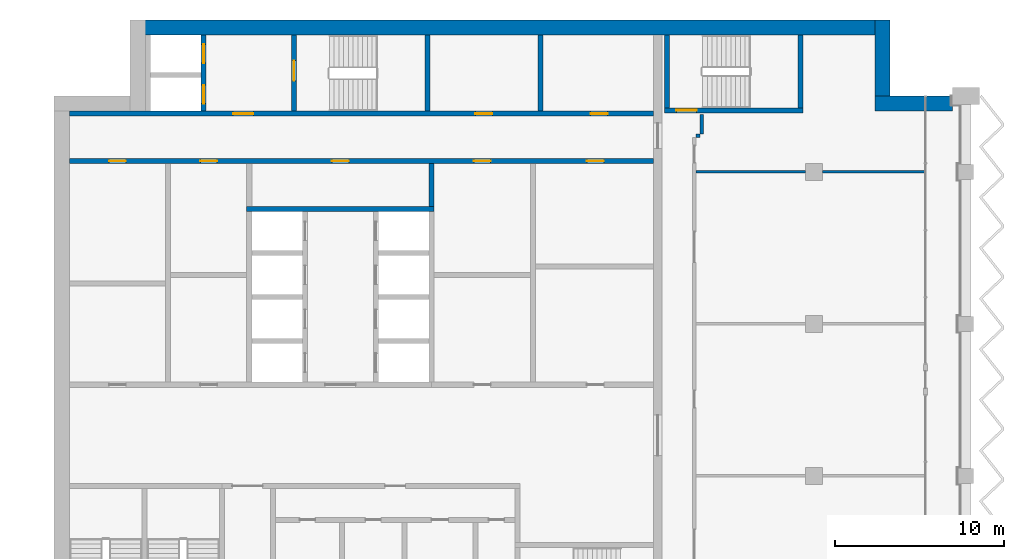
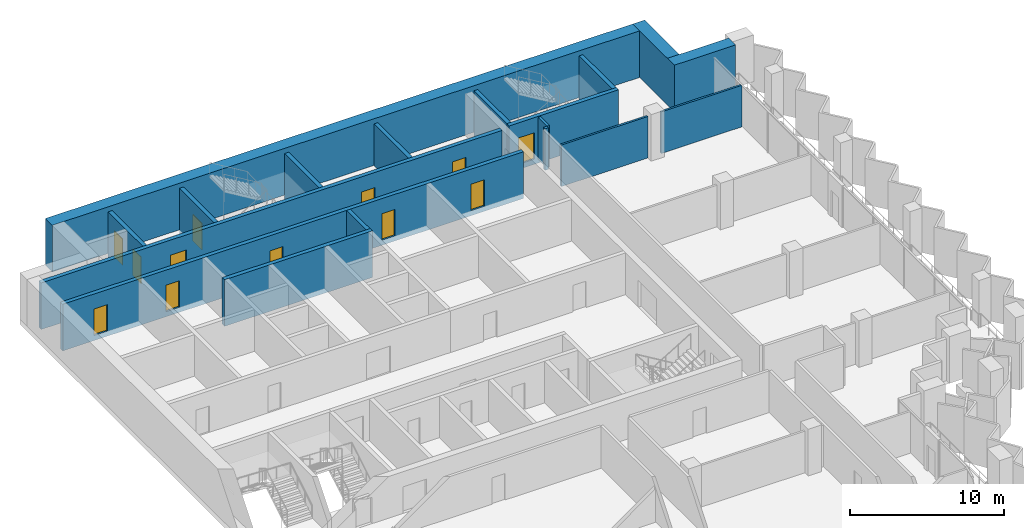
# One storey, part 10 of 16: 18 walls, 12 doors, 12 openings.
"""IFC4 building model written with IfcOpenShell, lengths in metres."""

from ifc_helpers import new_model, si_unit, direction, frame, frame_2d, origin, place, context, subcontext, project, spatial, rectangle, extrude, material, layer, layer_set, type_object, element, fill, save


model = new_model("IFC4")

# Units and contexts
model_context = context("Model", 3, precision=1e-05, world=origin(), true_north=direction((0.0, 1.0)))
body_context = subcontext(model_context, "Body", "Model", "MODEL_VIEW")
ifc_project = project(units=[si_unit("LENGTHUNIT", "METRE"), si_unit("AREAUNIT", "SQUARE_METRE"), si_unit("VOLUMEUNIT", "CUBIC_METRE"), si_unit("PLANEANGLEUNIT", "RADIAN"), si_unit("MASSUNIT", "GRAM", prefix="KILO")], contexts=[model_context])

# Site, building, storey
site_placement = place(None, origin())
site = spatial("IfcSite", under=ifc_project, at=site_placement, CompositionType="ELEMENT")
building_placement = place(site_placement, origin())
building = spatial("IfcBuilding", under=site, at=building_placement, Name="Hunhe Ridgeline Campus", CompositionType="ELEMENT")
storey_placement = place(building_placement, frame((0.0, 0.0, 239.199951171875)))
storey = spatial("IfcBuildingStorey", under=building, at=storey_placement, Name="L61", CompositionType="ELEMENT", Elevation=239.199951171875)

# Walls
ifc_material_1 = material(Name="Masonry concrete blockwork", Category="masonry")
ifc_layer_1 = layer(ifc_material_1, 0.300048828125)
ifc_layer_set_1 = layer_set([ifc_layer_1], Name="Core room partition 300 concrete block")
wall_type_1 = type_object("IfcWallType", Name="Core room partition 300 concrete block", PredefinedType="PARTITIONING", material=ifc_layer_set_1)
wall_1_placement = place(storey_placement, frame((22.35009765625, 87.949951171875, 0.0), z_axis=(0.0, 0.0, 1.0), x_axis=(0.0, 1.0, 0.0)))
element("IfcWall", 1, at=wall_1_placement, inside=storey, type_object=wall_type_1, Name="L61 core partition 44", PredefinedType="PARTITIONING", context=body_context, shape_type="SweptSolid", body=[
    extrude(rectangle(XDim=2.550048828125, YDim=0.300048828125, at=frame_2d((1.27490234375, 0.0))), origin(), (0.0, 0.0, 1.0), 3.300048828125),
])
wall_2_placement = place(storey_placement, frame((28.800048828125, 93.60009765625, 0.0), z_axis=(0.0, 0.0, 1.0), x_axis=(0.0, 1.0, 0.0)))
element("IfcWall", 2, at=wall_2_placement, inside=storey, type_object=wall_type_1, Name="L61 core partition 50", PredefinedType="PARTITIONING", context=body_context, shape_type="SweptSolid", body=[
    extrude(rectangle(XDim=4.5, YDim=0.300048828125, at=frame_2d((2.25, 0.0))), origin(), (0.0, 0.0, 1.0), 3.300048828125),
])
ifc_material_2 = material(Name="Gypsum board partition")
ifc_layer_2 = layer(ifc_material_2, 0.199951171875)
ifc_layer_set_2 = layer_set([ifc_layer_2], Name="Corridor partition 200 gypsum board on steel studs")
wall_type_2 = type_object("IfcWallType", Name="Corridor partition 200 gypsum board on steel studs", PredefinedType="PARTITIONING", material=ifc_layer_set_2)
wall_3_placement = place(storey_placement, frame((38.25, 92.14990234375, 0.0), z_axis=(0.0, 0.0, 1.0), x_axis=(-1.0, 0.0, 0.0)))
element("IfcWall", 3, at=wall_3_placement, inside=storey, type_object=wall_type_2, Name="F-L61-wall-031", PredefinedType="PARTITIONING", context=body_context, shape_type="SweptSolid", body=[
    extrude(rectangle(XDim=0.25, YDim=0.199951171875, at=frame_2d((0.125, 0.0))), origin(), (0.0, 0.0, 1.0), 3.300048828125),
])
wall_4_placement = place(storey_placement, frame((38.35009765625, 93.39599609375, 0.0), z_axis=(0.0, 0.0, 1.0), x_axis=(0.0, -1.0, 0.0)))
element("IfcWall", 4, at=wall_4_placement, inside=storey, type_object=wall_type_2, Name="F-L61-wall-039", PredefinedType="PARTITIONING", context=body_context, shape_type="SweptSolid", body=[
    extrude(rectangle(XDim=1.14599609375, YDim=0.199951171875, at=frame_2d((0.572998046875, 0.0))), origin(), (0.0, 0.0, 1.0), 3.300048828125),
])

# Wall, openings, doors
ifc_material_3 = material(Name="Concrete C50", Category="concrete")
ifc_layer_3 = layer(ifc_material_3, 0.300048828125)
ifc_layer_set_3 = layer_set([ifc_layer_3], Name="Lobby wall 300 reinforced concrete C50")
wall_type_3 = type_object("IfcWallType", Name="Lobby wall 300 reinforced concrete C50", PredefinedType="SOLIDWALL", material=ifc_layer_set_3)
wall_5_placement = place(storey_placement, frame((0.89990234375, 90.64990234375, -0.39990234375), z_axis=(0.0, 0.0, 1.0), x_axis=(1.0, 0.0, 0.0)))
wall_5 = element("IfcWall", 5, at=wall_5_placement, inside=storey, type_object=wall_type_3, Name="L61 core wall 23", PredefinedType="SOLIDWALL", context=body_context, shape_type="SweptSolid", body=[
    extrude(rectangle(XDim=34.60009765625, YDim=0.300048828125, at=frame_2d((17.300048828125, 0.0))), origin(), (0.0, 0.0, 1.0), 3.699951171875),
])
opening_1_placement = place(wall_5_placement, frame((15.550048828125, 0.0, 0.39990234375)))
opening_1 = element("IfcOpeningElement", 6, at=opening_1_placement, cuts=wall_5, Name="Opening CD26", PredefinedType="OPENING", context=body_context, shape_type="SweptSolid", body=[
    extrude(rectangle(XDim=1.0, YDim=2.10009765625, at=frame_2d((0.5, 1.050048828125))), frame((0.0, 0.14990234375, 0.0), z_axis=(0.0, -1.0, 0.0), x_axis=(1.0, 0.0, 0.0)), (0.0, 0.0, 1.0), 0.300048828125),
])
opening_2_placement = place(wall_5_placement, frame((2.35009765625, 0.0, 0.39990234375)))
opening_2 = element("IfcOpeningElement", 7, at=opening_2_placement, cuts=wall_5, Name="Opening CD40", PredefinedType="OPENING", context=body_context, shape_type="SweptSolid", body=[
    extrude(rectangle(XDim=1.0, YDim=2.10009765625, at=frame_2d((0.5, 1.050048828125))), frame((0.0, 0.14990234375, 0.0), z_axis=(0.0, -1.0, 0.0), x_axis=(1.0, 0.0, 0.0)), (0.0, 0.0, 1.0), 0.300048828125),
])
opening_3_placement = place(wall_5_placement, frame((7.75, 0.0, 0.39990234375)))
opening_3 = element("IfcOpeningElement", 8, at=opening_3_placement, cuts=wall_5, Name="Opening CD43", PredefinedType="OPENING", context=body_context, shape_type="SweptSolid", body=[
    extrude(rectangle(XDim=1.0, YDim=2.10009765625, at=frame_2d((0.5, 1.050048828125))), frame((0.0, 0.14990234375, 0.0), z_axis=(0.0, -1.0, 0.0), x_axis=(1.0, 0.0, 0.0)), (0.0, 0.0, 1.0), 0.300048828125),
])
opening_4_placement = place(wall_5_placement, frame((23.949951171875, 0.0, 0.39990234375)))
opening_4 = element("IfcOpeningElement", 9, at=opening_4_placement, cuts=wall_5, Name="Opening CD33", PredefinedType="OPENING", context=body_context, shape_type="SweptSolid", body=[
    extrude(rectangle(XDim=1.0, YDim=2.10009765625, at=frame_2d((0.5, 1.050048828125))), frame((0.0, 0.14990234375, 0.0), z_axis=(0.0, -1.0, 0.0), x_axis=(1.0, 0.0, 0.0)), (0.0, 0.0, 1.0), 0.300048828125),
])
opening_5_placement = place(wall_5_placement, frame((30.64990234375, 0.0, 0.39990234375)))
opening_5 = element("IfcOpeningElement", 10, at=opening_5_placement, cuts=wall_5, Name="Opening CD44", PredefinedType="OPENING", context=body_context, shape_type="SweptSolid", body=[
    extrude(rectangle(XDim=1.0, YDim=2.10009765625, at=frame_2d((0.5, 1.050048828125))), frame((0.0, 0.14990234375, 0.0), z_axis=(0.0, -1.0, 0.0), x_axis=(1.0, 0.0, 0.0)), (0.0, 0.0, 1.0), 0.300048828125),
])
ifc_material_4 = material(Name="Solid core timber door leaf", Category="wood")
door_type_1 = type_object("IfcDoorType", Name="Timber door 1000x2100", OperationType="SINGLE_SWING_LEFT", PredefinedType="DOOR", material=ifc_material_4)
door_1_placement = place(opening_1_placement, frame((1.0, 0.0, 0.0), z_axis=(0.0, 0.0, 1.0), x_axis=(-1.0, 0.0, 0.0)))
door_1 = element("IfcDoor", 11, at=door_1_placement, inside=storey, type_object=door_type_1, Name="L61 door NR-0", OperationType="SINGLE_SWING_RIGHT", OverallHeight=2.10009765625, OverallWidth=1.0, PredefinedType="DOOR", context=body_context, shape_type="SweptSolid", body=[
    extrude(rectangle(XDim=1.0, YDim=2.10009765625, at=frame_2d((0.5, 1.050048828125))), frame((0.0, 0.02490234375, 0.0), z_axis=(0.0, -1.0, 0.0), x_axis=(1.0, 0.0, 0.0)), (0.0, 0.0, 1.0), 0.050048828125),
])
fill(opening_1, door_1)
door_2_placement = place(opening_2_placement, frame((1.0, 0.0, 0.0), z_axis=(0.0, 0.0, 1.0), x_axis=(-1.0, 0.0, 0.0)))
door_2 = element("IfcDoor", 12, at=door_2_placement, inside=storey, type_object=door_type_1, Name="L61 door VD-LR1", OperationType="SINGLE_SWING_RIGHT", OverallHeight=2.10009765625, OverallWidth=1.0, PredefinedType="DOOR", context=body_context, shape_type="SweptSolid", body=[
    extrude(rectangle(XDim=1.0, YDim=2.10009765625, at=frame_2d((0.5, 1.050048828125))), frame((0.0, 0.02490234375, 0.0), z_axis=(0.0, -1.0, 0.0), x_axis=(1.0, 0.0, 0.0)), (0.0, 0.0, 1.0), 0.050048828125),
])
fill(opening_2, door_2)
door_3_placement = place(opening_3_placement, frame((1.0, 0.0, 0.0), z_axis=(0.0, 0.0, 1.0), x_axis=(-1.0, 0.0, 0.0)))
door_3 = element("IfcDoor", 13, at=door_3_placement, inside=storey, type_object=door_type_1, Name="L61 door VD-LR3", OperationType="SINGLE_SWING_RIGHT", OverallHeight=2.10009765625, OverallWidth=1.0, PredefinedType="DOOR", context=body_context, shape_type="SweptSolid", body=[
    extrude(rectangle(XDim=1.0, YDim=2.10009765625, at=frame_2d((0.5, 1.050048828125))), frame((0.0, 0.02490234375, 0.0), z_axis=(0.0, -1.0, 0.0), x_axis=(1.0, 0.0, 0.0)), (0.0, 0.0, 1.0), 0.050048828125),
])
fill(opening_3, door_3)
door_4_placement = place(opening_4_placement, frame((1.0, 0.0, 0.0), z_axis=(0.0, 0.0, 1.0), x_axis=(-1.0, 0.0, 0.0)))
door_4 = element("IfcDoor", 14, at=door_4_placement, inside=storey, type_object=door_type_1, Name="L61 door ES1", OperationType="SINGLE_SWING_LEFT", OverallHeight=2.10009765625, OverallWidth=1.0, PredefinedType="DOOR", context=body_context, shape_type="SweptSolid", body=[
    extrude(rectangle(XDim=1.0, YDim=2.10009765625, at=frame_2d((0.5, 1.050048828125))), frame((0.0, 0.02490234375, 0.0), z_axis=(0.0, -1.0, 0.0), x_axis=(1.0, 0.0, 0.0)), (0.0, 0.0, 1.0), 0.050048828125),
])
fill(opening_4, door_4)
door_5_placement = place(opening_5_placement, frame((1.0, 0.0, 0.0), z_axis=(0.0, 0.0, 1.0), x_axis=(-1.0, 0.0, 0.0)))
door_5 = element("IfcDoor", 15, at=door_5_placement, inside=storey, type_object=door_type_1, Name="L61 door ES3", OperationType="SINGLE_SWING_LEFT", OverallHeight=2.10009765625, OverallWidth=1.0, PredefinedType="DOOR", context=body_context, shape_type="SweptSolid", body=[
    extrude(rectangle(XDim=1.0, YDim=2.10009765625, at=frame_2d((0.5, 1.050048828125))), frame((0.0, 0.02490234375, 0.0), z_axis=(0.0, -1.0, 0.0), x_axis=(1.0, 0.0, 0.0)), (0.0, 0.0, 1.0), 0.050048828125),
])
fill(opening_5, door_5)

# Walls
ifc_layer_4 = layer(ifc_material_2, 0.14990234375)
ifc_layer_set_4 = layer_set([ifc_layer_4], Name="Room partition 150 gypsum board on steel studs")
wall_type_4 = type_object("IfcWallType", Name="Room partition 150 gypsum board on steel studs", PredefinedType="PARTITIONING", material=ifc_layer_set_4)
wall_6_placement = place(storey_placement, frame((38.0, 90.0, 0.0), z_axis=(0.0, 0.0, 1.0), x_axis=(1.0, 0.0, 0.0)))
element("IfcWall", 16, at=wall_6_placement, inside=storey, type_object=wall_type_4, Name="F-L61-wall-029", PredefinedType="PARTITIONING", context=body_context, shape_type="SweptSolid", body=[
    extrude(rectangle(XDim=6.5, YDim=0.14990234375, at=frame_2d((3.25, 0.0))), origin(), (0.0, 0.0, 1.0), 3.300048828125),
])
wall_7_placement = place(storey_placement, frame((45.5, 90.0, 0.0), z_axis=(0.0, 0.0, 1.0), x_axis=(1.0, 0.0, 0.0)))
element("IfcWall", 17, at=wall_7_placement, inside=storey, type_object=wall_type_4, Name="F-L61-wall-030", PredefinedType="PARTITIONING", context=body_context, shape_type="SweptSolid", body=[
    extrude(rectangle(XDim=6.044921875, YDim=0.14990234375, at=frame_2d((3.0224609375, 0.0))), origin(), (0.0, 0.0, 1.0), 3.300048828125),
])
ifc_layer_5 = layer(ifc_material_3, 0.300048828125)
ifc_layer_set_5 = layer_set([ifc_layer_5], Name="Shaft wall 300 reinforced concrete C50")
wall_type_5 = type_object("IfcWallType", Name="Shaft wall 300 reinforced concrete C50", PredefinedType="SOLIDWALL", material=ifc_layer_set_5)
wall_8_placement = place(storey_placement, frame((11.39990234375, 87.800048828125, -0.39990234375), z_axis=(0.0, 0.0, 1.0), x_axis=(1.0, 0.0, 0.0)))
element("IfcWall", 18, at=wall_8_placement, inside=storey, type_object=wall_type_5, Name="L61 core wall 22", PredefinedType="SOLIDWALL", context=body_context, shape_type="SweptSolid", body=[
    extrude(rectangle(XDim=11.10009765625, YDim=0.300048828125, at=frame_2d((5.550048828125, 0.0))), origin(), (0.0, 0.0, 1.0), 3.699951171875),
])

# Wall, openings, doors
wall_9_placement = place(storey_placement, frame((0.89990234375, 93.449951171875, -0.39990234375), z_axis=(0.0, 0.0, 1.0), x_axis=(1.0, 0.0, 0.0)))
wall_9 = element("IfcWall", 19, at=wall_9_placement, inside=storey, type_object=wall_type_5, Name="L61 core wall 24", PredefinedType="SOLIDWALL", context=body_context, shape_type="SweptSolid", body=[
    extrude(rectangle(XDim=34.60009765625, YDim=0.300048828125, at=frame_2d((17.300048828125, 0.0))), origin(), (0.0, 0.0, 1.0), 3.699951171875),
])
opening_6_placement = place(wall_9_placement, frame((9.699951171875, 0.0, 0.39990234375)))
opening_6 = element("IfcOpeningElement", 20, at=opening_6_placement, cuts=wall_9, Name="Opening CD3", PredefinedType="OPENING", context=body_context, shape_type="SweptSolid", body=[
    extrude(rectangle(XDim=1.199951171875, YDim=2.10009765625, at=frame_2d((0.60009765625, 1.050048828125))), frame((0.0, 0.14990234375, 0.0), z_axis=(0.0, -1.0, 0.0), x_axis=(1.0, 0.0, 0.0)), (0.0, 0.0, 1.0), 0.300048828125),
])
opening_7_placement = place(wall_9_placement, frame((24.050048828125, 0.0, 0.39990234375)))
opening_7 = element("IfcOpeningElement", 21, at=opening_7_placement, cuts=wall_9, Name="Opening CD34", PredefinedType="OPENING", context=body_context, shape_type="SweptSolid", body=[
    extrude(rectangle(XDim=1.0, YDim=2.10009765625, at=frame_2d((0.5, 1.050048828125))), frame((0.0, 0.14990234375, 0.0), z_axis=(0.0, -1.0, 0.0), x_axis=(1.0, 0.0, 0.0)), (0.0, 0.0, 1.0), 0.300048828125),
])
opening_8_placement = place(wall_9_placement, frame((30.875, 0.0, 0.39990234375)))
opening_8 = element("IfcOpeningElement", 22, at=opening_8_placement, cuts=wall_9, Name="Opening CD35", PredefinedType="OPENING", context=body_context, shape_type="SweptSolid", body=[
    extrude(rectangle(XDim=1.0, YDim=2.10009765625, at=frame_2d((0.5, 1.050048828125))), frame((0.0, 0.14990234375, 0.0), z_axis=(0.0, -1.0, 0.0), x_axis=(1.0, 0.0, 0.0)), (0.0, 0.0, 1.0), 0.300048828125),
])
ifc_material_5 = material(Name="Hollow metal fire door leaf")
door_type_2 = type_object("IfcDoorType", Name="Lobby door 1200x2100 FD60", OperationType="SINGLE_SWING_LEFT", PredefinedType="DOOR", material=ifc_material_5)
door_6_placement = place(opening_6_placement, frame((1.199951171875, 0.0, 0.0), z_axis=(0.0, 0.0, 1.0), x_axis=(-1.0, 0.0, 0.0)))
door_6 = element("IfcDoor", 23, at=door_6_placement, inside=storey, type_object=door_type_2, Name="L61 door FF-C1", OperationType="SINGLE_SWING_RIGHT", OverallHeight=2.10009765625, OverallWidth=1.199951171875, PredefinedType="DOOR", context=body_context, shape_type="SweptSolid", body=[
    extrude(rectangle(XDim=1.199951171875, YDim=2.10009765625, at=frame_2d((0.60009765625, 1.050048828125))), frame((0.0, 0.02490234375, 0.0), z_axis=(0.0, -1.0, 0.0), x_axis=(1.0, 0.0, 0.0)), (0.0, 0.0, 1.0), 0.050048828125),
])
fill(opening_6, door_6)
door_7_placement = place(opening_7_placement, origin())
door_7 = element("IfcDoor", 24, at=door_7_placement, inside=storey, type_object=door_type_1, Name="L61 door NB0", OperationType="SINGLE_SWING_LEFT", OverallHeight=2.10009765625, OverallWidth=1.0, PredefinedType="DOOR", context=body_context, shape_type="SweptSolid", body=[
    extrude(rectangle(XDim=1.0, YDim=2.10009765625, at=frame_2d((0.5, 1.050048828125))), frame((0.0, 0.02490234375, 0.0), z_axis=(0.0, -1.0, 0.0), x_axis=(1.0, 0.0, 0.0)), (0.0, 0.0, 1.0), 0.050048828125),
])
fill(opening_7, door_7)
door_8_placement = place(opening_8_placement, origin())
door_8 = element("IfcDoor", 25, at=door_8_placement, inside=storey, type_object=door_type_1, Name="L61 door NB1", OperationType="SINGLE_SWING_RIGHT", OverallHeight=2.10009765625, OverallWidth=1.0, PredefinedType="DOOR", context=body_context, shape_type="SweptSolid", body=[
    extrude(rectangle(XDim=1.0, YDim=2.10009765625, at=frame_2d((0.5, 1.050048828125))), frame((0.0, 0.02490234375, 0.0), z_axis=(0.0, -1.0, 0.0), x_axis=(1.0, 0.0, 0.0)), (0.0, 0.0, 1.0), 0.050048828125),
])
fill(opening_8, door_8)

wall_10_placement = place(storey_placement, frame((8.85009765625, 93.60009765625, -0.39990234375), z_axis=(0.0, 0.0, 1.0), x_axis=(0.0, 1.0, 0.0)))
wall_10 = element("IfcWall", 26, at=wall_10_placement, inside=storey, type_object=wall_type_5, Name="L61 core wall 31", PredefinedType="SOLIDWALL", context=body_context, shape_type="SweptSolid", body=[
    extrude(rectangle(XDim=4.5, YDim=0.300048828125, at=frame_2d((2.25, 0.0))), origin(), (0.0, 0.0, 1.0), 3.699951171875),
])
opening_9_placement = place(wall_10_placement, frame((0.449951171875, 0.0, 0.39990234375)))
opening_9 = element("IfcOpeningElement", 27, at=opening_9_placement, cuts=wall_10, Name="Opening LD-FF1", PredefinedType="OPENING", context=body_context, shape_type="SweptSolid", body=[
    extrude(rectangle(XDim=1.10009765625, YDim=2.10009765625, at=frame_2d((0.550048828125, 1.050048828125))), frame((0.0, 0.14990234375, 0.0), z_axis=(0.0, -1.0, 0.0), x_axis=(1.0, 0.0, 0.0)), (0.0, 0.0, 1.0), 0.300048828125),
])
opening_10_placement = place(wall_10_placement, frame((2.85009765625, 0.0, 0.39990234375)))
opening_10 = element("IfcOpeningElement", 28, at=opening_10_placement, cuts=wall_10, Name="Opening LD-FF2", PredefinedType="OPENING", context=body_context, shape_type="SweptSolid", body=[
    extrude(rectangle(XDim=1.10009765625, YDim=2.10009765625, at=frame_2d((0.550048828125, 1.050048828125))), frame((0.0, 0.14990234375, 0.0), z_axis=(0.0, -1.0, 0.0), x_axis=(1.0, 0.0, 0.0)), (0.0, 0.0, 1.0), 0.300048828125),
])
ifc_material_6 = material(Name="Stainless steel sliding leaves", Category="steel")
door_type_3 = type_object("IfcDoorType", Name="Landing door 1100x2100 FD120", OperationType="SLIDING_TO_LEFT", PredefinedType="DOOR", material=ifc_material_6)
door_9_placement = place(opening_9_placement, origin())
door_9 = element("IfcDoor", 29, at=door_9_placement, inside=storey, type_object=door_type_3, Name="L61 landing door FF1", OperationType="SLIDING_TO_RIGHT", OverallHeight=2.10009765625, OverallWidth=1.10009765625, PredefinedType="DOOR", context=body_context, shape_type="SweptSolid", body=[
    extrude(rectangle(XDim=1.10009765625, YDim=2.10009765625, at=frame_2d((0.550048828125, 1.050048828125))), frame((0.0, 0.02490234375, 0.0), z_axis=(0.0, -1.0, 0.0), x_axis=(1.0, 0.0, 0.0)), (0.0, 0.0, 1.0), 0.050048828125),
])
fill(opening_9, door_9)
door_10_placement = place(opening_10_placement, origin())
door_10 = element("IfcDoor", 30, at=door_10_placement, inside=storey, type_object=door_type_3, Name="L61 landing door FF2", OperationType="SLIDING_TO_LEFT", OverallHeight=2.10009765625, OverallWidth=1.10009765625, PredefinedType="DOOR", context=body_context, shape_type="SweptSolid", body=[
    extrude(rectangle(XDim=1.10009765625, YDim=2.10009765625, at=frame_2d((0.550048828125, 1.050048828125))), frame((0.0, 0.02490234375, 0.0), z_axis=(0.0, -1.0, 0.0), x_axis=(1.0, 0.0, 0.0)), (0.0, 0.0, 1.0), 0.050048828125),
])
fill(opening_10, door_10)

# Walls
ifc_material_7 = material(Name="Concrete C60", Category="concrete")
ifc_layer_6 = layer(ifc_material_7, 0.89990234375)
ifc_layer_set_6 = layer_set([ifc_layer_6], Name="Spine wall 900 Concrete C60")
wall_type_6 = type_object("IfcWallType", Name="Spine wall 900 Concrete C60", PredefinedType="SHEAR", material=ifc_layer_set_6)
wall_11_placement = place(storey_placement, frame((53.199951171875, 94.050048828125, 0.0), z_axis=(0.0, 0.0, 1.0), x_axis=(-1.0, 0.0, 0.0)))
element("IfcWall", 31, at=wall_11_placement, inside=storey, type_object=wall_type_6, Name="Spine wall SW3-2 L61", PredefinedType="SHEAR", context=body_context, shape_type="SweptSolid", body=[
    extrude(rectangle(XDim=4.599853515625, YDim=0.89990234375, at=frame_2d((2.2998046875, 0.0))), origin(), (0.0, 0.0, 1.0), 3.699951171875),
])
wall_12_placement = place(storey_placement, frame((49.050048828125, 93.60009765625, 0.0), z_axis=(0.0, 0.0, 1.0), x_axis=(0.0, 1.0, 0.0)))
element("IfcWall", 32, at=wall_12_placement, inside=storey, type_object=wall_type_6, Name="Spine wall SW3-3 L61", PredefinedType="SHEAR", context=body_context, shape_type="SweptSolid", body=[
    extrude(rectangle(XDim=5.39990234375, YDim=0.89990234375, at=frame_2d((2.699951171875, 0.0))), origin(), (0.0, 0.0, 1.0), 3.699951171875),
])
wall_13_placement = place(storey_placement, frame((49.5, 98.550048828125, 0.0), z_axis=(0.0, 0.0, 1.0), x_axis=(-1.0, 0.0, 0.0)))
element("IfcWall", 33, at=wall_13_placement, inside=storey, type_object=wall_type_6, Name="Spine wall SW3-4 L61", PredefinedType="SHEAR", context=body_context, shape_type="SweptSolid", body=[
    extrude(rectangle(XDim=45.0, YDim=0.89990234375, at=frame_2d((22.5, 0.0))), origin(), (0.0, 0.0, 1.0), 3.699951171875),
])

# Wall, opening, door
ifc_layer_7 = layer(ifc_material_3, 0.300048828125)
ifc_layer_set_7 = layer_set([ifc_layer_7], Name="Stair wall 300 reinforced concrete C50")
wall_type_7 = type_object("IfcWallType", Name="Stair wall 300 reinforced concrete C50", PredefinedType="SOLIDWALL", material=ifc_layer_set_7)
wall_14_placement = place(storey_placement, frame((36.14990234375, 93.64990234375, -0.39990234375), z_axis=(0.0, 0.0, 1.0), x_axis=(1.0, 0.0, 0.0)))
wall_14 = element("IfcWall", 34, at=wall_14_placement, inside=storey, type_object=wall_type_7, Name="L61 core wall 25", PredefinedType="SOLIDWALL", context=body_context, shape_type="SweptSolid", body=[
    extrude(rectangle(XDim=8.2001953125, YDim=0.300048828125, at=frame_2d((4.10009765625, 0.0))), origin(), (0.0, 0.0, 1.0), 3.699951171875),
])
opening_11_placement = place(wall_14_placement, frame((0.699951171875, 0.0, 0.39990234375)))
opening_11 = element("IfcOpeningElement", 35, at=opening_11_placement, cuts=wall_14, Name="Opening CD17", PredefinedType="OPENING", context=body_context, shape_type="SweptSolid", body=[
    extrude(rectangle(XDim=1.199951171875, YDim=2.10009765625, at=frame_2d((0.60009765625, 1.050048828125))), frame((0.0, 0.14990234375, 0.0), z_axis=(0.0, -1.0, 0.0), x_axis=(1.0, 0.0, 0.0)), (0.0, 0.0, 1.0), 0.300048828125),
])
door_type_4 = type_object("IfcDoorType", Name="Stair door 1200x2100 FD60", OperationType="SINGLE_SWING_LEFT", PredefinedType="DOOR", material=ifc_material_5)
door_11_placement = place(opening_11_placement, frame((1.199951171875, 0.0, 0.0), z_axis=(0.0, 0.0, 1.0), x_axis=(-1.0, 0.0, 0.0)))
door_11 = element("IfcDoor", 36, at=door_11_placement, inside=storey, type_object=door_type_4, Name="L61 door E1", OperationType="SINGLE_SWING_LEFT", OverallHeight=2.10009765625, OverallWidth=1.199951171875, PredefinedType="DOOR", context=body_context, shape_type="SweptSolid", body=[
    extrude(rectangle(XDim=1.199951171875, YDim=2.10009765625, at=frame_2d((0.60009765625, 1.050048828125))), frame((0.0, 0.02490234375, 0.0), z_axis=(0.0, -1.0, 0.0), x_axis=(1.0, 0.0, 0.0)), (0.0, 0.0, 1.0), 0.050048828125),
])
fill(opening_11, door_11)

wall_15_placement = place(storey_placement, frame((14.199951171875, 93.60009765625, -0.39990234375), z_axis=(0.0, 0.0, 1.0), x_axis=(0.0, 1.0, 0.0)))
wall_15 = element("IfcWall", 37, at=wall_15_placement, inside=storey, type_object=wall_type_7, Name="L61 core wall 36", PredefinedType="SOLIDWALL", context=body_context, shape_type="SweptSolid", body=[
    extrude(rectangle(XDim=4.5, YDim=0.300048828125, at=frame_2d((2.25, 0.0))), origin(), (0.0, 0.0, 1.0), 3.699951171875),
])
opening_12_placement = place(wall_15_placement, frame((1.800048828125, 0.0, 0.39990234375)))
opening_12 = element("IfcOpeningElement", 38, at=opening_12_placement, cuts=wall_15, Name="Opening CD16", PredefinedType="OPENING", context=body_context, shape_type="SweptSolid", body=[
    extrude(rectangle(XDim=1.199951171875, YDim=2.10009765625, at=frame_2d((0.60009765625, 1.050048828125))), frame((0.0, 0.14990234375, 0.0), z_axis=(0.0, -1.0, 0.0), x_axis=(1.0, 0.0, 0.0)), (0.0, 0.0, 1.0), 0.300048828125),
])
door_12_placement = place(opening_12_placement, origin())
door_12 = element("IfcDoor", 39, at=door_12_placement, inside=storey, type_object=door_type_4, Name="L61 door S1-FF", OperationType="SINGLE_SWING_RIGHT", OverallHeight=2.10009765625, OverallWidth=1.199951171875, PredefinedType="DOOR", context=body_context, shape_type="SweptSolid", body=[
    extrude(rectangle(XDim=1.199951171875, YDim=2.10009765625, at=frame_2d((0.60009765625, 1.050048828125))), frame((0.0, 0.02490234375, 0.0), z_axis=(0.0, -1.0, 0.0), x_axis=(1.0, 0.0, 0.0)), (0.0, 0.0, 1.0), 0.050048828125),
])
fill(opening_12, door_12)

# Walls
wall_16_placement = place(storey_placement, frame((22.10009765625, 93.60009765625, -0.39990234375), z_axis=(0.0, 0.0, 1.0), x_axis=(0.0, 1.0, 0.0)))
element("IfcWall", 40, at=wall_16_placement, inside=storey, type_object=wall_type_7, Name="L61 core wall 42", PredefinedType="SOLIDWALL", context=body_context, shape_type="SweptSolid", body=[
    extrude(rectangle(XDim=4.5, YDim=0.300048828125, at=frame_2d((2.25, 0.0))), origin(), (0.0, 0.0, 1.0), 3.699951171875),
])
for number, where, z_axis, x_axis, name in (
    (41, (36.300048828125, 93.800048828125, -0.39990234375), (0.0, 0.0, 1.0), (0.0, 1.0, 0.0), "L61 core wall 52"),
    (42, (44.199951171875, 93.800048828125, -0.39990234375), (0.0, 0.0, 1.0), (0.0, 1.0, 0.0), "L61 core wall 53"),
):
    element("IfcWall", number, at=place(storey_placement, frame(where, z_axis=z_axis, x_axis=x_axis)), inside=storey, type_object=wall_type_7, Name=name, PredefinedType="SOLIDWALL", context=body_context, shape_type="SweptSolid", body=[
        extrude(rectangle(XDim=4.300048828125, YDim=0.300048828125, at=frame_2d((2.14990234375, 0.0))), origin(), (0.0, 0.0, 1.0), 3.699951171875),
    ])

save(model, "model.ifc")
